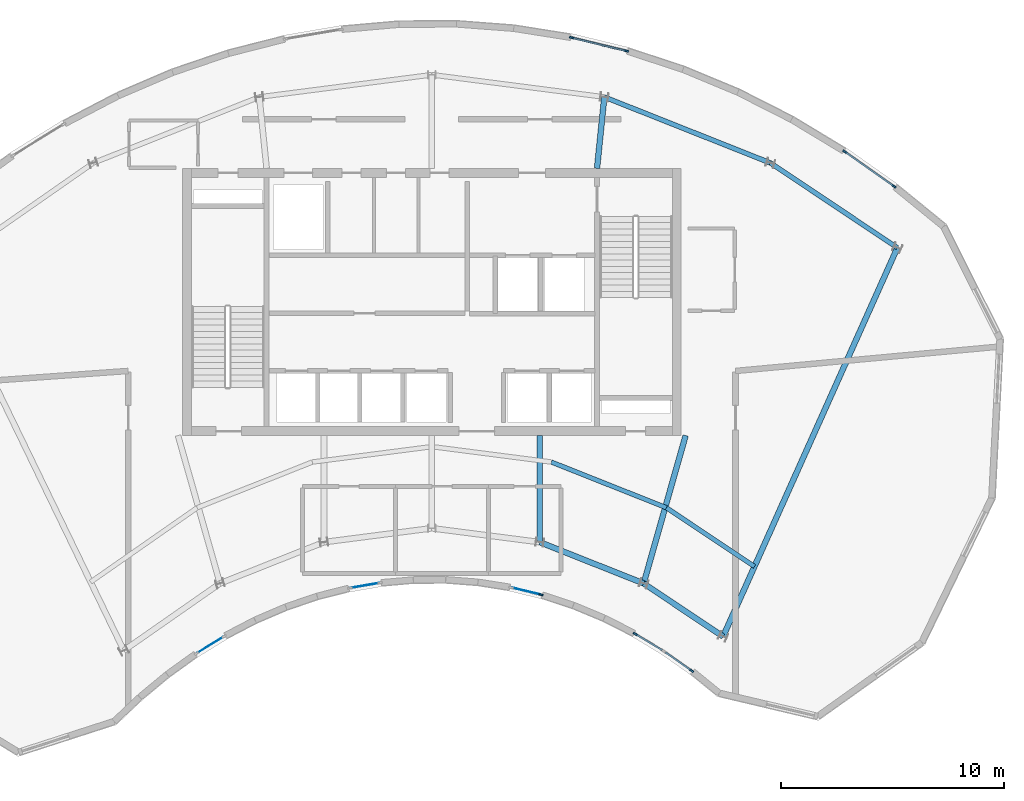
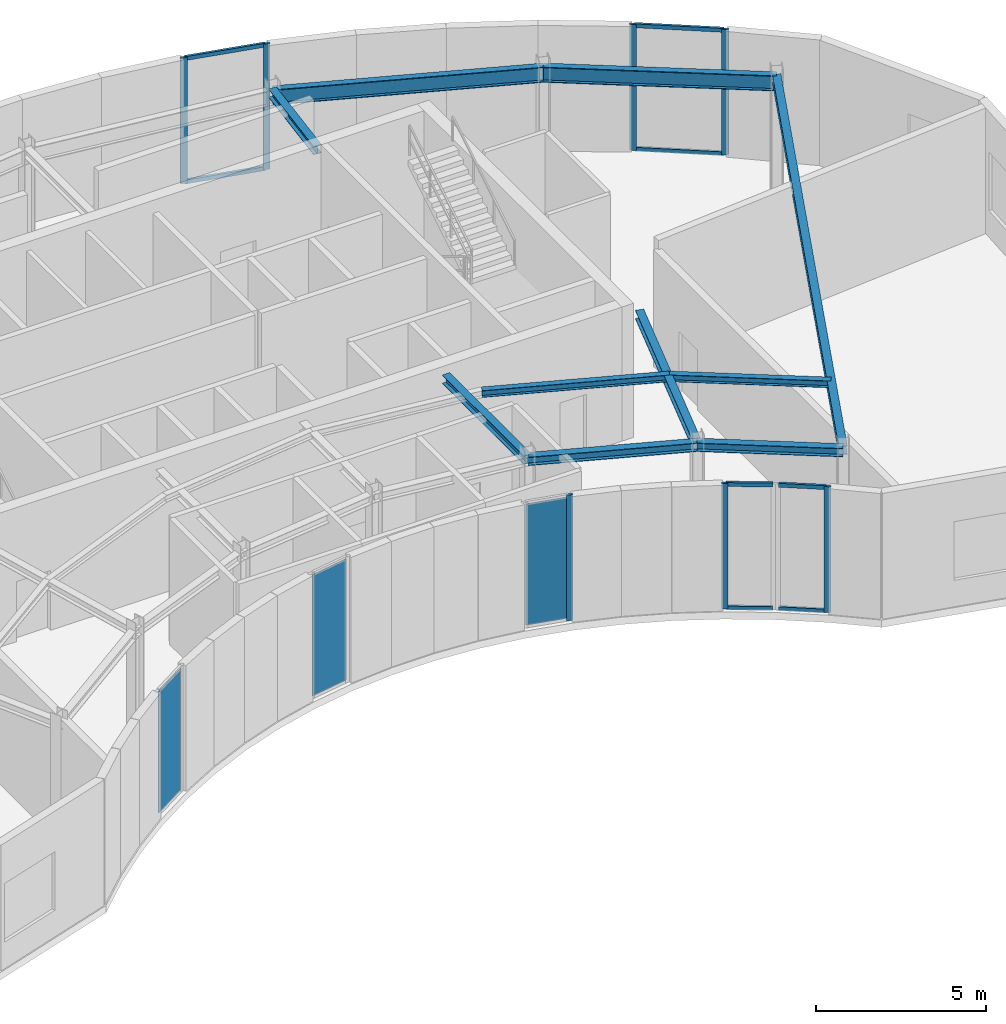
# One storey, part 4 of 10: 15 members, 10 beams, 3 plates, 7 elements without a shape of their own.
"""IFC4 building model written with IfcOpenShell, lengths in metres."""

import ifcopenshell
import ifcopenshell.guid

model = None  # the IFC model being written
_history = None  # IfcOwnerHistory: only IFC2X3 demands one
_inside = {}  # id of a spatial element -> (the spatial element, [elements in it])
_under = {}  # id of a project, library or spatial element -> (it, [spatial elements below it])
_declared = {}  # id of a project -> (the project, [libraries it declares])
_typed = {}  # id of a type object -> (the type object, [elements of that type])
_made_of = {}  # id of a material, layer set ... -> (it, [elements and type objects made of it])


def new_model(schema):
    """Start an empty IFC model of exactly this schema.

    Asked for "IFC4X3", IfcOpenShell would pick the latest addendum, in which some entities
    have other attributes; the version numbers below select the first issue.
    IFC2X3 requires an IfcOwnerHistory on every rooted entity: one is made here for all.
    """
    global model, _history
    if schema == "IFC4X3":
        model = ifcopenshell.file(schema_version=(4, 3, 0, 0))
    else:
        model = ifcopenshell.file(schema=schema)
    _inside.clear()
    _under.clear()
    _declared.clear()
    _typed.clear()
    _made_of.clear()
    _history = None
    if model.schema == "IFC2X3":
        org = make("IfcOrganization", Name="unknown")
        user = make(
            "IfcPersonAndOrganization",
            ThePerson=make("IfcPerson", FamilyName="unknown"),
            TheOrganization=org,
        )
        app = make(
            "IfcApplication",
            ApplicationDeveloper=org,
            Version="unknown",
            ApplicationFullName="unknown",
            ApplicationIdentifier="unknown",
        )
        _history = make(
            "IfcOwnerHistory",
            OwningUser=user,
            OwningApplication=app,
            ChangeAction="ADDED",
            CreationDate=0,
        )
    return model


def make(cls, **values):
    """One entity of the class cls with the attributes given. An attribute that is None is left unset."""
    return model.create_entity(
        cls, **{name: value for name, value in values.items() if value is not None}
    )


def rooted(cls, **values):
    """An entity with a GlobalId (a new one), such as an element, a storey or a relation."""
    return make(cls, GlobalId=ifcopenshell.guid.new(), OwnerHistory=_history, **values)


def si_unit(unit_type, name, prefix=None):
    """IfcSIUnit, for example si_unit("LENGTHUNIT", "METRE", prefix="MILLI")."""
    return make("IfcSIUnit", UnitType=unit_type, Prefix=prefix, Name=name)


def assignment(units):
    """IfcUnitAssignment: the units of a project."""
    return None if units is None else make("IfcUnitAssignment", Units=units)


def point(xyz):
    """IfcCartesianPoint."""
    return None if xyz is None else make("IfcCartesianPoint", Coordinates=xyz)


def direction(xyz):
    """IfcDirection."""
    return None if xyz is None else make("IfcDirection", DirectionRatios=xyz)


def frame(location, z_axis=None, x_axis=None):
    """IfcAxis2Placement3D, a coordinate frame: its origin and axes. An axis left out is left unset."""
    return make(
        "IfcAxis2Placement3D",
        Location=point(location),
        Axis=direction(z_axis),
        RefDirection=direction(x_axis),
    )


def frame_2d(location, x_axis=None):
    """IfcAxis2Placement2D, a coordinate frame in the plane: its origin and x axis."""
    return make(
        "IfcAxis2Placement2D", Location=point(location), RefDirection=direction(x_axis)
    )


def origin():
    """The frame at (0, 0, 0) with its axes left unset."""
    return frame((0.0, 0.0, 0.0))


def origin_2d():
    """The frame at (0, 0) in the plane with its x axis left unset."""
    return frame_2d((0.0, 0.0))


def place(relative_to, where):
    """IfcLocalPlacement: puts the frame where relative to a parent placement (None: the world)."""
    return make(
        "IfcLocalPlacement", PlacementRelTo=relative_to, RelativePlacement=where
    )


def context(
    kind, dimensions, precision=None, world=None, true_north=None, identifier=None
):
    """IfcGeometricRepresentationContext, for example the 3D "Model" context."""
    return make(
        "IfcGeometricRepresentationContext",
        ContextIdentifier=identifier,
        ContextType=kind,
        CoordinateSpaceDimension=dimensions,
        Precision=precision,
        WorldCoordinateSystem=world,
        TrueNorth=true_north,
    )


def subcontext(parent, identifier, kind, view, scale=None):
    """IfcGeometricRepresentationSubContext, for example "Body" below "Model"."""
    return make(
        "IfcGeometricRepresentationSubContext",
        ContextIdentifier=identifier,
        ContextType=kind,
        ParentContext=parent,
        TargetScale=scale,
        TargetView=view,
    )


def project(units=None, contexts=None):
    """IfcProject with its units and contexts."""
    return rooted(
        "IfcProject",
        Name="project",
        RepresentationContexts=contexts,
        UnitsInContext=assignment(units),
    )


def spatial(cls, under=None, at=None, **own):
    """A site, building, storey or space (cls), placed at a placement, below another one or the project."""
    s = rooted(cls, ObjectPlacement=at, **own)
    if under is not None:
        _under.setdefault(under.id(), (under, []))[1].append(s)
    return s


def profile(cls, at=None, kind="AREA", **sizes):
    """A parametric profile (cls). Its sizes go by their IFC names, for example OverallWidth=200.0."""
    return make(cls, ProfileType=kind, Position=at, **sizes)


def rectangle(**sizes):
    """IfcRectangleProfileDef."""
    return profile("IfcRectangleProfileDef", **sizes)


def i_section(**sizes):
    """IfcIShapeProfileDef."""
    return profile("IfcIShapeProfileDef", **sizes)


def extrude(swept, where, along, depth):
    """IfcExtrudedAreaSolid: the profile swept, set in the frame where, extruded along a direction by depth."""
    return make(
        "IfcExtrudedAreaSolid",
        SweptArea=swept,
        Position=where,
        ExtrudedDirection=direction(along),
        Depth=depth,
    )


def shape(context_of_items, identifier, shape_type, items):
    """IfcShapeRepresentation: the items that make up one representation, for example the "Body"."""
    return make(
        "IfcShapeRepresentation",
        ContextOfItems=context_of_items,
        RepresentationIdentifier=identifier,
        RepresentationType=shape_type,
        Items=items,
    )


def source(mapping_origin, context_of_items, identifier, shape_type, items):
    """IfcRepresentationMap: a shape defined once, which mapped items show again and again."""
    return make(
        "IfcRepresentationMap",
        MappingOrigin=mapping_origin,
        MappedRepresentation=shape(context_of_items, identifier, shape_type, items),
    )


def transform(
    local_origin,
    x_axis=None,
    y_axis=None,
    z_axis=None,
    scale=None,
    scale2=None,
    scale3=None,
    uniform=True,
):
    """IfcCartesianTransformationOperator3D, or its non-uniform kind. x_axis, y_axis, z_axis: its Axis1, 2, 3."""
    if uniform:
        return make(
            "IfcCartesianTransformationOperator3D",
            Axis1=direction(x_axis),
            Axis2=direction(y_axis),
            LocalOrigin=point(local_origin),
            Scale=scale,
            Axis3=direction(z_axis),
        )
    return make(
        "IfcCartesianTransformationOperator3DnonUniform",
        Axis1=direction(x_axis),
        Axis2=direction(y_axis),
        LocalOrigin=point(local_origin),
        Scale=scale,
        Axis3=direction(z_axis),
        Scale2=scale2,
        Scale3=scale3,
    )


def mapped(mapping_source, mapping_target):
    """IfcMappedItem: shows the shape of a source again, moved by a transform."""
    return make(
        "IfcMappedItem", MappingSource=mapping_source, MappingTarget=mapping_target
    )


def material(Name=None, Category=None):
    """IfcMaterial."""
    return make("IfcMaterial", Name=Name, Category=Category)


def layer(
    of_material, thickness, ventilated=None, Name=None, Category=None, Priority=None
):
    """IfcMaterialLayer: one layer of a wall or slab, of a material (None: an air gap)."""
    return make(
        "IfcMaterialLayer",
        Material=of_material,
        LayerThickness=thickness,
        IsVentilated=ventilated,
        Name=Name,
        Category=Category,
        Priority=Priority,
    )


def layer_set(layers, Name=None):
    """IfcMaterialLayerSet."""
    return make("IfcMaterialLayerSet", MaterialLayers=layers, LayerSetName=Name)


def material_profile(
    of_material, cross_section, Name=None, Category=None, Priority=None
):
    """IfcMaterialProfile: a cross section and its material."""
    return make(
        "IfcMaterialProfile",
        Name=Name,
        Material=of_material,
        Profile=cross_section,
        Priority=Priority,
        Category=Category,
    )


def profile_set(profiles, Name=None, composite=None):
    """IfcMaterialProfileSet."""
    return make(
        "IfcMaterialProfileSet",
        Name=Name,
        MaterialProfiles=profiles,
        CompositeProfile=composite,
    )


def made_of(thing, what):
    """Note that an element or type object is made of a material, layer set ...; save() writes the relation."""
    if what is not None:
        _made_of.setdefault(what.id(), (what, []))[1].append(thing)
    return thing


def type_object(cls, material=None, **own):
    """A type object (cls), such as IfcWallType, which elements share."""
    return made_of(rooted(cls, **own), material)


def element(
    cls,
    number,
    at=None,
    inside=None,
    cuts=None,
    type_object=None,
    material=None,
    context=None,
    identifier="Body",
    shape_type=None,
    held_by="IfcProductDefinitionShape",
    body=None,
    shapes=None,
    **own,
):
    """One element of the class cls, such as IfcWall. Its Tag is "e" and its number.

    at: its placement. inside: the storey or other place that contains it. cuts: it is an
    opening in that element (IfcRelVoidsElement). A single representation is given by context,
    identifier, shape_type and body (its items); several are given by shapes. held_by: the class
    of the entity that holds the representations. save() writes the other relations.
    """
    e = rooted(cls, Tag="e%d" % number, ObjectPlacement=at, **own)
    if body is not None:
        shapes = [shape(context, identifier, shape_type, body)]
    if shapes is not None:
        e.Representation = make(held_by, Representations=shapes)
    if inside is not None:
        _inside.setdefault(inside.id(), (inside, []))[1].append(e)
    if cuts is not None:
        rooted(
            "IfcRelVoidsElement", RelatingBuildingElement=cuts, RelatedOpeningElement=e
        )
    if type_object is not None:
        _typed.setdefault(type_object.id(), (type_object, []))[1].append(e)
    return made_of(e, material)


def aggregate(whole, parts):
    """IfcRelAggregates: a whole, such as a stair, and the parts it consists of."""
    return rooted("IfcRelAggregates", RelatingObject=whole, RelatedObjects=parts)


def save(model, path):
    """Write the relations noted so far, then the file.

    IfcRelAggregates (storeys below a building ...), IfcRelContainedInSpatialStructure (elements
    in a storey), IfcRelDefinesByType, IfcRelAssociatesMaterial and IfcRelDeclares: one each for
    every whole, place, type object, material and project.
    """
    for whole, parts in _under.values():
        aggregate(whole, parts)
    for where, things in _inside.values():
        rooted(
            "IfcRelContainedInSpatialStructure",
            RelatedElements=things,
            RelatingStructure=where,
        )
    for kind, things in _typed.values():
        rooted("IfcRelDefinesByType", RelatedObjects=things, RelatingType=kind)
    for what, things in _made_of.values():
        rooted("IfcRelAssociatesMaterial", RelatedObjects=things, RelatingMaterial=what)
    for by, libraries in _declared.values():
        rooted("IfcRelDeclares", RelatingContext=by, RelatedDefinitions=libraries)
    model.write(path)


model = new_model("IFC4")

# Units and contexts
model_context = context("Model", 3, precision=1e-05, world=origin(), true_north=direction((0.0, 1.0)))
body_context = subcontext(model_context, "Body", "Model", "MODEL_VIEW")
ifc_project = project(units=[si_unit("LENGTHUNIT", "METRE"), si_unit("AREAUNIT", "SQUARE_METRE"), si_unit("VOLUMEUNIT", "CUBIC_METRE"), si_unit("PLANEANGLEUNIT", "RADIAN"), si_unit("MASSUNIT", "GRAM", prefix="KILO")], contexts=[model_context])

# Site, building, storey
site_placement = place(None, origin())
site = spatial("IfcSite", under=ifc_project, at=site_placement, CompositionType="ELEMENT")
building_placement = place(site_placement, origin())
building = spatial("IfcBuilding", under=site, at=building_placement, Name="Breltana Convention Tower", CompositionType="ELEMENT")
storey_placement = place(building_placement, frame((0.0, 0.0, 307.800048828125)))
storey = spatial("IfcBuildingStorey", under=building, at=storey_placement, Name="L75", CompositionType="ELEMENT", Elevation=307.800048828125)

# Beams
ifc_material_1 = material(Name="Steel ASTM A992 Grade 50", Category="steel")
ifc_material_profile_1 = material_profile(ifc_material_1, i_section(OverallWidth=0.214111328125, OverallDepth=0.549072265625, WebThickness=0.0146484375, FlangeThickness=0.023681640625, at=origin_2d()), Name="W21X93")
ifc_profile_set_1 = profile_set([ifc_material_profile_1], Name="Steel ASTM A992 Grade 50")
beam_type_1 = type_object("IfcBeamType", Name="BM-SP-W21X93", PredefinedType="SPANDREL", material=ifc_profile_set_1)
shared_shape_1 = source(origin(), body_context, "Body", "SweptSolid", [
    extrude(i_section(OverallWidth=0.214111328125, OverallDepth=0.549072265625, WebThickness=0.0146484375, FlangeThickness=0.023681640625, at=origin_2d()), origin(), (0.0, 0.0, 1.0), 8.028564453125),
])
beam_1_placement = place(storey_placement, frame((55.746826171875, 75.404296875, 4.225341796875), z_axis=(0.929459100394, -0.368925169507, 0.0), x_axis=(0.368925169507, 0.929459100394, 0.0)))
element("IfcBeam", 1, at=beam_1_placement, inside=storey, type_object=beam_type_1, Name="L75 Outer Spandrel Beam 07", PredefinedType="SPANDREL", context=body_context, shape_type="MappedRepresentation", body=[
    mapped(shared_shape_1, transform((0.0, 0.0, 0.0), scale=1.0)),
])
shared_shape_2 = source(origin(), body_context, "Body", "SweptSolid", [
    extrude(i_section(OverallWidth=0.214111328125, OverallDepth=0.549072265625, WebThickness=0.0146484375, FlangeThickness=0.023681640625, at=origin_2d()), origin(), (0.0, 0.0, 1.0), 6.856689453125),
])
beam_2_placement = place(storey_placement, frame((63.208984375, 72.4423828125, 4.225341796875), z_axis=(0.83150210718, -0.55552159792, 0.0), x_axis=(0.55552159792, 0.83150210718, 0.0)))
element("IfcBeam", 2, at=beam_2_placement, inside=storey, type_object=beam_type_1, Name="L75 Outer Spandrel Beam 08", PredefinedType="SPANDREL", context=body_context, shape_type="MappedRepresentation", body=[
    mapped(shared_shape_2, transform((0.0, 0.0, 0.0), scale=1.0)),
])
ifc_material_profile_2 = material_profile(ifc_material_1, i_section(OverallWidth=0.25390625, OverallDepth=0.305908203125, WebThickness=0.0087890625, FlangeThickness=0.0146484375, at=origin_2d()), Name="W12X53")
ifc_profile_set_2 = profile_set([ifc_material_profile_2], Name="Steel ASTM A992 Grade 50")
beam_type_2 = type_object("IfcBeamType", Name="BM-CN-W12X53", PredefinedType="BEAM", material=ifc_profile_set_2)
shared_shape_3 = source(origin(), body_context, "Body", "SweptSolid", [
    extrude(i_section(OverallWidth=0.25390625, OverallDepth=0.305908203125, WebThickness=0.0087890625, FlangeThickness=0.0146484375, at=origin_2d()), origin(), (0.0, 0.0, 1.0), 6.904541015625),
])
beam_3_placement = place(storey_placement, frame((59.39990234375, 60.199951171875, 4.346923828125), z_axis=(-0.273006781054, -0.962012108811, 0.0), x_axis=(0.962012108811, -0.273006781054, 0.0)))
element("IfcBeam", 3, at=beam_3_placement, inside=storey, type_object=beam_type_2, Name="L75 South Core Tie Girder R08", PredefinedType="BEAM", context=body_context, shape_type="MappedRepresentation", body=[
    mapped(shared_shape_3, transform((0.0, 0.0, 0.0), scale=1.0)),
])
shared_shape_4 = source(origin(), body_context, "Body", "SweptSolid", [
    extrude(i_section(OverallWidth=0.25390625, OverallDepth=0.305908203125, WebThickness=0.0087890625, FlangeThickness=0.0146484375, at=origin_2d()), origin(), (0.0, 0.0, 1.0), 4.789306640625),
])
beam_4_placement = place(storey_placement, frame((52.846435546875, 60.199951171875, 4.346923828125), z_axis=(0.0, -1.0, 0.0), x_axis=(1.0, 0.0, 0.0)))
element("IfcBeam", 4, at=beam_4_placement, inside=storey, type_object=beam_type_2, Name="L75 South Core Tie Girder R07", PredefinedType="BEAM", context=body_context, shape_type="MappedRepresentation", body=[
    mapped(shared_shape_4, transform((0.0, 0.0, 0.0), scale=1.0)),
])
shared_shape_5 = source(origin(), body_context, "Body", "SweptSolid", [
    extrude(i_section(OverallWidth=0.25390625, OverallDepth=0.305908203125, WebThickness=0.0087890625, FlangeThickness=0.0146484375, at=origin_2d()), origin(), (0.0, 0.0, 1.0), 3.220947265625),
])
beam_5_placement = place(storey_placement, frame((55.419921875, 72.199951171875, 4.346923828125), z_axis=(0.101492254858, 0.994836329355, 0.0), x_axis=(-0.994836329355, 0.101492254858, 0.0)))
element("IfcBeam", 5, at=beam_5_placement, inside=storey, type_object=beam_type_2, Name="L75 North Core Radial Girder R07", PredefinedType="BEAM", context=body_context, shape_type="MappedRepresentation", body=[
    mapped(shared_shape_5, transform((0.0, 0.0, 0.0), scale=1.0)),
])
shared_shape_6 = source(origin(), body_context, "Body", "SweptSolid", [
    extrude(i_section(OverallWidth=0.25390625, OverallDepth=0.305908203125, WebThickness=0.0087890625, FlangeThickness=0.0146484375, at=origin_2d()), origin(), (0.0, 0.0, 1.0), 19.133544921875),
])
beam_6_placement = place(storey_placement, frame((61.08203125, 51.174560546875, 4.346923828125), z_axis=(0.409144564164, 0.912469575172, 0.0), x_axis=(-0.912469575172, 0.409144564164, 0.0)))
element("IfcBeam", 6, at=beam_6_placement, inside=storey, type_object=beam_type_2, Name="L75 Radial Floor Girder R09", PredefinedType="BEAM", context=body_context, shape_type="MappedRepresentation", body=[
    mapped(shared_shape_6, transform((0.0, 0.0, 0.0), scale=1.0)),
])
shared_shape_7 = source(origin(), body_context, "Body", "SweptSolid", [
    extrude(i_section(OverallWidth=0.25390625, OverallDepth=0.305908203125, WebThickness=0.0087890625, FlangeThickness=0.0146484375, at=origin_2d()), origin(), (0.0, 0.0, 1.0), 5.022705078125),
])
beam_7_placement = place(storey_placement, frame((52.846435546875, 55.41064453125, 4.346923828125), z_axis=(0.929458966248, -0.368925507469, 0.0), x_axis=(0.368925507469, 0.929458966248, 0.0)))
element("IfcBeam", 7, at=beam_7_placement, inside=storey, type_object=beam_type_2, Name="L75 Inner Ring Beam 07", PredefinedType="BEAM", context=body_context, shape_type="MappedRepresentation", body=[
    mapped(shared_shape_7, transform((0.0, 0.0, 0.0), scale=1.0)),
])
shared_shape_8 = source(origin(), body_context, "Body", "SweptSolid", [
    extrude(i_section(OverallWidth=0.25390625, OverallDepth=0.305908203125, WebThickness=0.0087890625, FlangeThickness=0.0146484375, at=origin_2d()), origin(), (0.0, 0.0, 1.0), 4.2900390625),
])
beam_8_placement = place(storey_placement, frame((57.514892578125, 53.5576171875, 4.346923828125), z_axis=(0.831515827753, -0.555501060482, 0.0), x_axis=(0.555501060482, 0.831515827753, 0.0)))
element("IfcBeam", 8, at=beam_8_placement, inside=storey, type_object=beam_type_2, Name="L75 Inner Ring Beam 08", PredefinedType="BEAM", context=body_context, shape_type="MappedRepresentation", body=[
    mapped(shared_shape_8, transform((0.0, 0.0, 0.0), scale=1.0)),
])
ifc_material_profile_3 = material_profile(ifc_material_1, i_section(OverallWidth=0.201904296875, OverallDepth=0.2470703125, WebThickness=0.00732421875, FlangeThickness=0.010986328125, at=origin_2d()), Name="W10X33")
ifc_profile_set_3 = profile_set([ifc_material_profile_3], Name="Steel ASTM A992 Grade 50")
beam_type_3 = type_object("IfcBeamType", Name="BM-LN-W10X33", PredefinedType="LINTEL", material=ifc_profile_set_3)
shared_shape_9 = source(origin(), body_context, "Body", "SweptSolid", [
    extrude(i_section(OverallWidth=0.201904296875, OverallDepth=0.2470703125, WebThickness=0.00732421875, FlangeThickness=0.010986328125, at=origin_2d()), origin(), (0.0, 0.0, 1.0), 5.563720703125),
])
beam_9_placement = place(storey_placement, frame((53.36865234375, 59.009521484375, 4.37646484375), z_axis=(0.929447960386, -0.368953234074, 0.0), x_axis=(0.368953234074, 0.929447960386, 0.0)))
element("IfcBeam", 9, at=beam_9_placement, inside=storey, type_object=beam_type_3, Name="L75 Composite Floor Joist 07.1", PredefinedType="LINTEL", context=body_context, shape_type="MappedRepresentation", body=[
    mapped(shared_shape_9, transform((0.0, 0.0, 0.0), scale=1.0)),
])
shared_shape_10 = source(origin(), body_context, "Body", "SweptSolid", [
    extrude(i_section(OverallWidth=0.201904296875, OverallDepth=0.2470703125, WebThickness=0.00732421875, FlangeThickness=0.010986328125, at=origin_2d()), origin(), (0.0, 0.0, 1.0), 4.751953125),
])
beam_10_placement = place(storey_placement, frame((58.539794921875, 56.956787109375, 4.37646484375), z_axis=(0.831528257555, -0.555482454167, 0.0), x_axis=(0.555482454167, 0.831528257555, 0.0)))
element("IfcBeam", 10, at=beam_10_placement, inside=storey, type_object=beam_type_3, Name="L75 Composite Floor Joist 08.1", PredefinedType="LINTEL", context=body_context, shape_type="MappedRepresentation", body=[
    mapped(shared_shape_10, transform((0.0, 0.0, 0.0), scale=1.0)),
])

# Curtain wall, members
ifc_material_2 = material(Name="Aluminium Anodised Bronze Frame", Category="aluminium")
ifc_layer_1 = layer(ifc_material_2, 0.18994140625, Name="Aluminium Anodised Bronze Frame")
ifc_layer_set_1 = layer_set([ifc_layer_1], Name="Aluminium Anodised Bronze Frame")
curtain_wall_type_1 = type_object("IfcCurtainWallType", Name="CW-SYS-1", PredefinedType="NOTDEFINED", material=ifc_layer_set_1)
curtain_wall_1_placement = place(storey_placement, origin())
curtain_wall_1 = element("IfcCurtainWall", 11, at=curtain_wall_1_placement, inside=storey, type_object=curtain_wall_type_1, Name="L75 inner south-court glazing 1", PredefinedType="NOTDEFINED")
ifc_material_3 = material(Name="Aluminium Anodised Bronze", Category="aluminium")
ifc_material_profile_4 = material_profile(ifc_material_3, rectangle(XDim=0.080078125, YDim=0.139892578125, at=origin_2d()), Name="CWT-80X140")
ifc_profile_set_4 = profile_set([ifc_material_profile_4], Name="Aluminium Anodised Bronze")
member_type_1 = type_object("IfcMemberType", Name="CWT-140", PredefinedType="USERDEFINED", material=ifc_profile_set_4)
shared_shape_11 = source(origin(), body_context, "Body", "SweptSolid", [
    extrude(rectangle(XDim=0.080078125, YDim=0.139892578125, at=origin_2d()), origin(), (0.0, 0.0, 1.0), 1.3974609375),
])
member_1_placement = place(storey_placement, frame((59.635009765625, 49.658935546875, 0.0400390625), z_axis=(-0.817364650956, 0.576120670838, 0.0), x_axis=(-0.576120670838, -0.817364650956, 0.0)))
member_1 = element("IfcMember", 12, at=member_1_placement, type_object=member_type_1, Name="CW-01 transom 1.1", ObjectType="TRANSOM", PredefinedType="USERDEFINED", context=body_context, shape_type="MappedRepresentation", body=[
    mapped(shared_shape_11, transform((0.0, 0.0, 0.0), scale=1.0)),
])
member_2_placement = place(storey_placement, frame((59.635009765625, 49.658935546875, 4.4599609375), z_axis=(-0.817364650956, 0.576120670838, 0.0), x_axis=(-0.576120670838, -0.817364650956, 0.0)))
member_2 = element("IfcMember", 13, at=member_2_placement, type_object=member_type_1, Name="CW-01 transom 1.2", ObjectType="TRANSOM", PredefinedType="USERDEFINED", context=body_context, shape_type="MappedRepresentation", body=[
    mapped(shared_shape_11, transform((0.0, 0.0, 0.0), scale=1.0)),
])

curtain_wall_2_placement = place(storey_placement, origin())
curtain_wall_2 = element("IfcCurtainWall", 14, at=curtain_wall_2_placement, inside=storey, type_object=curtain_wall_type_1, Name="L75 inner south-court glazing 2", PredefinedType="NOTDEFINED")
shared_shape_12 = source(origin(), body_context, "Body", "SweptSolid", [
    extrude(rectangle(XDim=0.080078125, YDim=0.139892578125, at=origin_2d()), origin(), (0.0, 0.0, 1.0), 1.3720703125),
])
member_3_placement = place(storey_placement, frame((58.34814453125, 50.55859375, 0.0400390625), z_axis=(-0.856123865056, 0.516770672235, 0.0), x_axis=(-0.516770672235, -0.856123865056, 0.0)))
member_3 = element("IfcMember", 15, at=member_3_placement, type_object=member_type_1, Name="CW-01 transom 1.1", ObjectType="TRANSOM", PredefinedType="USERDEFINED", context=body_context, shape_type="MappedRepresentation", body=[
    mapped(shared_shape_12, transform((0.0, 0.0, 0.0), scale=1.0)),
])
member_4_placement = place(storey_placement, frame((58.34814453125, 50.55859375, 4.4599609375), z_axis=(-0.856123865056, 0.516770672235, 0.0), x_axis=(-0.516770672235, -0.856123865056, 0.0)))
member_4 = element("IfcMember", 16, at=member_4_placement, type_object=member_type_1, Name="CW-01 transom 1.2", ObjectType="TRANSOM", PredefinedType="USERDEFINED", context=body_context, shape_type="MappedRepresentation", body=[
    mapped(shared_shape_12, transform((0.0, 0.0, 0.0), scale=1.0)),
])

ifc_layer_2 = layer(ifc_material_2, 0.239990234375, Name="Aluminium Anodised Bronze Frame")
ifc_layer_set_2 = layer_set([ifc_layer_2], Name="Aluminium Anodised Bronze Frame")
curtain_wall_type_2 = type_object("IfcCurtainWallType", Name="CW-SYS-6", PredefinedType="NOTDEFINED", material=ifc_layer_set_2)
curtain_wall_3_placement = place(storey_placement, origin())
curtain_wall_3 = element("IfcCurtainWall", 17, at=curtain_wall_3_placement, inside=storey, type_object=curtain_wall_type_2, Name="L75 outer double-skin inner glazing 4", PredefinedType="NOTDEFINED")
shared_shape_13 = source(origin(), body_context, "Body", "SweptSolid", [
    extrude(rectangle(XDim=0.080078125, YDim=0.139892578125, at=origin_2d()), origin(), (0.0, 0.0, 1.0), 2.45068359375),
])
member_5_placement = place(storey_placement, frame((54.31689453125, 78.062744140625, 0.0400390625), z_axis=(0.971874983214, -0.235497382156, 0.0), x_axis=(0.235497382156, 0.971874983214, 0.0)))
member_5 = element("IfcMember", 18, at=member_5_placement, type_object=member_type_1, Name="CW-06 transom 1.1", ObjectType="TRANSOM", PredefinedType="USERDEFINED", context=body_context, shape_type="MappedRepresentation", body=[
    mapped(shared_shape_13, transform((0.0, 0.0, 0.0), scale=1.0)),
])
member_6_placement = place(storey_placement, frame((54.31689453125, 78.062744140625, 4.4599609375), z_axis=(0.971874983214, -0.235497382156, 0.0), x_axis=(0.235497382156, 0.971874983214, 0.0)))
member_6 = element("IfcMember", 19, at=member_6_placement, type_object=member_type_1, Name="CW-06 transom 1.2", ObjectType="TRANSOM", PredefinedType="USERDEFINED", context=body_context, shape_type="MappedRepresentation", body=[
    mapped(shared_shape_13, transform((0.0, 0.0, 0.0), scale=1.0)),
])

curtain_wall_4_placement = place(storey_placement, origin())
curtain_wall_4 = element("IfcCurtainWall", 20, at=curtain_wall_4_placement, inside=storey, type_object=curtain_wall_type_2, Name="L75 outer double-skin inner glazing 5", PredefinedType="NOTDEFINED")
shared_shape_14 = source(origin(), body_context, "Body", "SweptSolid", [
    extrude(rectangle(XDim=0.080078125, YDim=0.139892578125, at=origin_2d()), origin(), (0.0, 0.0, 1.0), 2.635009765625),
])
member_7_placement = place(storey_placement, frame((66.57568359375, 72.92919921875, 0.0400390625), z_axis=(0.817298971099, -0.576213842111, 0.0), x_axis=(0.576213842111, 0.817298971099, 0.0)))
member_7 = element("IfcMember", 21, at=member_7_placement, type_object=member_type_1, Name="CW-06 transom 1.1", ObjectType="TRANSOM", PredefinedType="USERDEFINED", context=body_context, shape_type="MappedRepresentation", body=[
    mapped(shared_shape_14, transform((0.0, 0.0, 0.0), scale=1.0)),
])
member_8_placement = place(storey_placement, frame((66.57568359375, 72.92919921875, 4.4599609375), z_axis=(0.817298971099, -0.576213842111, 0.0), x_axis=(0.576213842111, 0.817298971099, 0.0)))
member_8 = element("IfcMember", 22, at=member_8_placement, type_object=member_type_1, Name="CW-06 transom 1.2", ObjectType="TRANSOM", PredefinedType="USERDEFINED", context=body_context, shape_type="MappedRepresentation", body=[
    mapped(shared_shape_14, transform((0.0, 0.0, 0.0), scale=1.0)),
])

# Member
ifc_material_profile_5 = material_profile(ifc_material_3, rectangle(XDim=0.080078125, YDim=0.199951171875, at=origin_2d()), Name="CWM-80X200")
ifc_profile_set_5 = profile_set([ifc_material_profile_5], Name="Aluminium Anodised Bronze")
member_type_2 = type_object("IfcMemberType", Name="CWM-200", PredefinedType="MULLION", material=ifc_profile_set_5)
shared_shape_15 = source(origin(), body_context, "Body", "SweptSolid", [
    extrude(rectangle(XDim=0.080078125, YDim=0.199951171875, at=origin_2d()), origin(), (0.0, 0.0, 1.0), 4.5),
])
member_9_placement = place(storey_placement, frame((59.667724609375, 49.635986328125, 0.0), z_axis=(0.0, 0.0, 1.0), x_axis=(-0.576173895534, -0.817327132857, 0.0)))
member_9 = element("IfcMember", 23, at=member_9_placement, type_object=member_type_2, Name="CW-01 mullion 1", PredefinedType="MULLION", context=body_context, shape_type="MappedRepresentation", body=[
    mapped(shared_shape_15, transform((0.0, 0.0, 0.0), scale=1.0)),
])

aggregate(curtain_wall_1, [member_9, member_1, member_2])

member_10_placement = place(storey_placement, frame((57.139404296875, 51.288330078125, 0.0), z_axis=(0.0, 0.0, 1.0), x_axis=(-0.516826673654, -0.856090059164, 0.0)))
member_10 = element("IfcMember", 24, at=member_10_placement, type_object=member_type_2, Name="CW-01 mullion 2", PredefinedType="MULLION", context=body_context, shape_type="MappedRepresentation", body=[
    mapped(shared_shape_15, transform((0.0, 0.0, 0.0), scale=1.0)),
])

aggregate(curtain_wall_2, [member_10, member_3, member_4])

# Curtain wall, member
curtain_wall_5_placement = place(storey_placement, origin())
curtain_wall_5 = element("IfcCurtainWall", 25, at=curtain_wall_5_placement, inside=storey, type_object=curtain_wall_type_1, Name="L75 inner south-court glazing 3", PredefinedType="NOTDEFINED")
member_11_placement = place(storey_placement, frame((52.89990234375, 53.0517578125, 0.0), z_axis=(0.0, 0.0, 1.0), x_axis=(-0.235517485062, -0.97187011181, 0.0)))
member_11 = element("IfcMember", 26, at=member_11_placement, type_object=member_type_2, Name="CW-01 mullion 1", PredefinedType="MULLION", context=body_context, shape_type="MappedRepresentation", body=[
    mapped(shared_shape_15, transform((0.0, 0.0, 0.0), scale=1.0)),
])

# Member
member_12_placement = place(storey_placement, frame((54.278076171875, 78.072265625, 0.0), z_axis=(0.0, 0.0, 1.0), x_axis=(0.235517807109, 0.971870033767, 0.0)))
member_12 = element("IfcMember", 27, at=member_12_placement, type_object=member_type_2, Name="CW-06 mullion 1", PredefinedType="MULLION", context=body_context, shape_type="MappedRepresentation", body=[
    mapped(shared_shape_15, transform((0.0, 0.0, 0.0), scale=1.0)),
])

member_13_placement = place(storey_placement, frame((56.73779296875, 77.47607421875, 0.0), z_axis=(0.0, 0.0, 1.0), x_axis=(0.235517807109, 0.971870033767, 0.0)))
member_13 = element("IfcMember", 28, at=member_13_placement, type_object=member_type_2, Name="CW-06 mullion 2", PredefinedType="MULLION", context=body_context, shape_type="MappedRepresentation", body=[
    mapped(shared_shape_15, transform((0.0, 0.0, 0.0), scale=1.0)),
])

aggregate(curtain_wall_3, [member_12, member_13, member_5, member_6])

member_14_placement = place(storey_placement, frame((66.543212890625, 72.9521484375, 0.0), z_axis=(0.0, 0.0, 1.0), x_axis=(0.576234994683, 0.817284057658, 0.0)))
member_14 = element("IfcMember", 29, at=member_14_placement, type_object=member_type_2, Name="CW-06 mullion 1", PredefinedType="MULLION", context=body_context, shape_type="MappedRepresentation", body=[
    mapped(shared_shape_15, transform((0.0, 0.0, 0.0), scale=1.0)),
])

member_15_placement = place(storey_placement, frame((68.761962890625, 71.387939453125, 0.0), z_axis=(0.0, 0.0, 1.0), x_axis=(0.576234994683, 0.817284057658, 0.0)))
member_15 = element("IfcMember", 30, at=member_15_placement, type_object=member_type_2, Name="CW-06 mullion 2", PredefinedType="MULLION", context=body_context, shape_type="MappedRepresentation", body=[
    mapped(shared_shape_15, transform((0.0, 0.0, 0.0), scale=1.0)),
])

aggregate(curtain_wall_4, [member_14, member_15, member_7, member_8])

# Plate
ifc_material_4 = material(Name="Glass Low-E Double Glazing", Category="glass")
ifc_layer_3 = layer(ifc_material_4, 0.028076171875, Name="Glass Low-E Double Glazing")
ifc_layer_set_3 = layer_set([ifc_layer_3], Name="Glass Low-E Double Glazing")
plate_type = type_object("IfcPlateType", Name="CWP-IGU-28", PredefinedType="CURTAIN_PANEL", material=ifc_layer_set_3)
shared_shape_16 = source(origin(), body_context, "Body", "SweptSolid", [
    extrude(rectangle(XDim=1.29638671875, YDim=0.028076171875, at=origin_2d()), origin(), (0.0, 0.0, 1.0), 4.340087890625),
])
plate_1_placement = place(storey_placement, frame((52.23095703125, 53.2138671875, 0.080078125), z_axis=(0.0, 0.0, 1.0), x_axis=(-0.97187011181, 0.235517485062, 0.0)))
plate_1 = element("IfcPlate", 31, at=plate_1_placement, type_object=plate_type, Name="CW-01 panel 1.1", PredefinedType="CURTAIN_PANEL", context=body_context, shape_type="MappedRepresentation", body=[
    mapped(shared_shape_16, transform((0.0, 0.0, 0.0), scale=1.0)),
])

aggregate(curtain_wall_5, [member_11, plate_1])

# Curtain wall, plate
curtain_wall_6_placement = place(storey_placement, origin())
curtain_wall_6 = element("IfcCurtainWall", 32, at=curtain_wall_6_placement, inside=storey, type_object=curtain_wall_type_1, Name="L75 inner south-court glazing 4", PredefinedType="NOTDEFINED")
shared_shape_17 = source(origin(), body_context, "Body", "SweptSolid", [
    extrude(rectangle(XDim=1.287353515625, YDim=0.028076171875, at=origin_2d()), origin(), (0.0, 0.0, 1.0), 4.340087890625),
])
plate_2_placement = place(storey_placement, frame((44.999267578125, 53.467529296875, 0.080078125), z_axis=(0.0, 0.0, 1.0), x_axis=(-0.985782236223, -0.168027922521, 0.0)))
plate_2 = element("IfcPlate", 33, at=plate_2_placement, type_object=plate_type, Name="CW-01 panel 1.1", PredefinedType="CURTAIN_PANEL", context=body_context, shape_type="MappedRepresentation", body=[
    mapped(shared_shape_17, transform((0.0, 0.0, 0.0), scale=1.0)),
])
aggregate(curtain_wall_6, [plate_2])

curtain_wall_7_placement = place(storey_placement, origin())
curtain_wall_7 = element("IfcCurtainWall", 34, at=curtain_wall_7_placement, inside=storey, type_object=curtain_wall_type_1, Name="L75 inner south-court glazing 5", PredefinedType="NOTDEFINED")
shared_shape_18 = source(origin(), body_context, "Body", "SweptSolid", [
    extrude(rectangle(XDim=1.37548828125, YDim=0.028076171875, at=origin_2d()), origin(), (0.0, 0.0, 1.0), 4.340087890625),
])
plate_3_placement = place(storey_placement, frame((38.050537109375, 50.798095703125, 0.080078125), z_axis=(0.0, 0.0, 1.0), x_axis=(-0.850749179302, -0.525571911271, 0.0)))
plate_3 = element("IfcPlate", 35, at=plate_3_placement, type_object=plate_type, Name="CW-01 panel 1.1", PredefinedType="CURTAIN_PANEL", context=body_context, shape_type="MappedRepresentation", body=[
    mapped(shared_shape_18, transform((0.0, 0.0, 0.0), scale=1.0)),
])
aggregate(curtain_wall_7, [plate_3])

save(model, "model.ifc")
